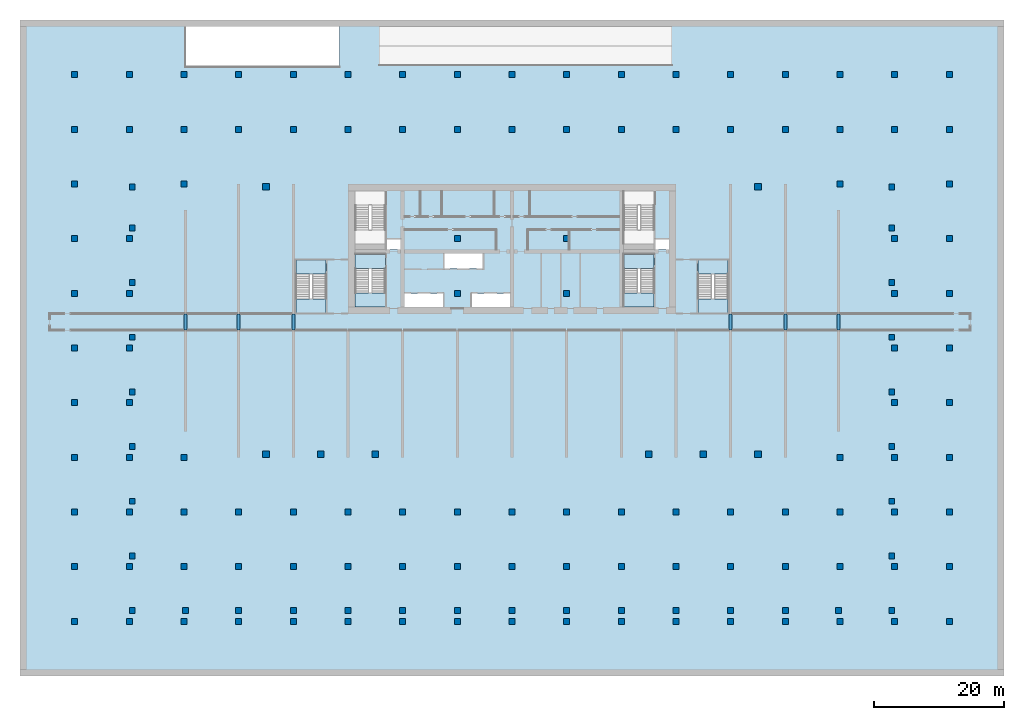
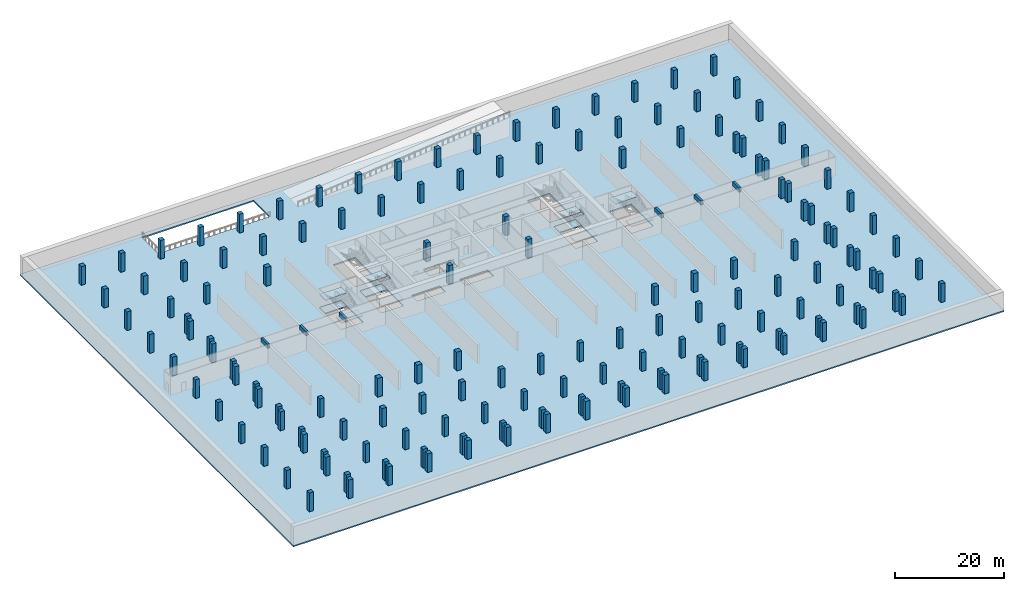
# One storey, part 1 of 13: 154 columns, 12 slabs, 6 beams, 4 elements without a shape of their own.
"""IFC4 building model written with IfcOpenShell, lengths in metres."""

from ifc_helpers import new_model, si_unit, direction, frame, origin, origin_2d, place, context, subcontext, project, spatial, polyline, rectangle, outline, extrude, source, transform, mapped, material, layer, layer_set, material_profile, profile_set, type_object, element, aggregate, save


model = new_model("IFC4")

# Units and contexts
model_context = context("Model", 3, precision=1e-05, world=origin(), true_north=direction((0.0, 1.0)))
body_context = subcontext(model_context, "Body", "Model", "MODEL_VIEW")
ifc_project = project(units=[si_unit("LENGTHUNIT", "METRE"), si_unit("AREAUNIT", "SQUARE_METRE"), si_unit("VOLUMEUNIT", "CUBIC_METRE"), si_unit("PLANEANGLEUNIT", "RADIAN"), si_unit("MASSUNIT", "GRAM", prefix="KILO")], contexts=[model_context])

# Site, building, storey
site_placement = place(None, origin())
site = spatial("IfcSite", under=ifc_project, at=site_placement, CompositionType="ELEMENT")
building_placement = place(site_placement, origin())
building = spatial("IfcBuilding", under=site, at=building_placement, Name="Vanashikhar Sky Hotel", CompositionType="ELEMENT")
storey_placement = place(building_placement, frame((0.0, 0.0, -9.0)))
storey = spatial("IfcBuildingStorey", under=building, at=storey_placement, Name="B2", CompositionType="ELEMENT", Elevation=-9.0)

# Columns
ifc_material_1 = material(Name="Concrete M70", Category="concrete")
ifc_material_profile_1 = material_profile(ifc_material_1, rectangle(XDim=1.0, YDim=1.0, at=origin_2d()))
ifc_profile_set_1 = profile_set([ifc_material_profile_1], Name="RC 1000x1000 column Concrete M70")
column_type_1 = type_object("IfcColumnType", Name="RC 1000x1000 column Concrete M70", PredefinedType="COLUMN", material=ifc_profile_set_1)
shared_shape_1 = source(origin(), body_context, "Body", "SweptSolid", [
    extrude(rectangle(XDim=1.0, YDim=1.0, at=origin_2d()), origin(), (0.0, 0.0, 1.0), 4.219970703125),
])
for number, where, z_axis, x_axis, name in (
    (1, (12.60009765625, 0.449951171875, 0.0), (0.0, 0.0, 1.0), (1.0, 0.0, 0.0), "CL-B2-CF02"),
    (2, (21.0, 0.449951171875, 0.0), (0.0, 0.0, 1.0), (1.0, 0.0, 0.0), "CL-B2-CF03"),
    (3, (29.39990234375, 0.449951171875, 0.0), (0.0, 0.0, 1.0), (1.0, 0.0, 0.0), "CL-B2-CF04"),
    (4, (71.39990234375, 0.449951171875, 0.0), (0.0, 0.0, 1.0), (1.0, 0.0, 0.0), "CL-B2-CF09"),
    (5, (79.800048828125, 0.449951171875, 0.0), (0.0, 0.0, 1.0), (1.0, 0.0, 0.0), "CL-B2-CF10"),
    (6, (88.199951171875, 0.449951171875, 0.0), (0.0, 0.0, 1.0), (1.0, 0.0, 0.0), "CL-B2-CF11"),
    (7, (12.60009765625, 41.550048828125, 0.0), (0.0, 0.0, 1.0), (1.0, 0.0, 0.0), "CL-B2-CR02"),
    (8, (88.199951171875, 41.550048828125, 0.0), (0.0, 0.0, 1.0), (1.0, 0.0, 0.0), "CL-B2-CR11"),
):
    element("IfcColumn", number, at=place(storey_placement, frame(where, z_axis=z_axis, x_axis=x_axis)), inside=storey, type_object=column_type_1, Name=name, PredefinedType="COLUMN", context=body_context, shape_type="MappedRepresentation", body=[
        mapped(shared_shape_1, transform((0.0, 0.0, 0.0), scale=1.0)),
    ])
ifc_material_profile_2 = material_profile(ifc_material_1, rectangle(XDim=0.89990234375, YDim=0.89990234375, at=origin_2d()))
ifc_profile_set_2 = profile_set([ifc_material_profile_2], Name="RC 900x900 column Concrete M70")
column_type_2 = type_object("IfcColumnType", Name="RC 900x900 column Concrete M70", PredefinedType="COLUMN", material=ifc_profile_set_2)
shared_shape_2 = source(origin(), body_context, "Body", "SweptSolid", [
    extrude(rectangle(XDim=0.89990234375, YDim=0.89990234375, at=origin_2d()), origin(), (0.0, 0.0, 1.0), 4.219970703125),
])
for number, where, z_axis, x_axis, name in (
    (9, (-7.949951171875, -23.550048828125, 0.0), (0.0, 0.0, 1.0), (1.0, 0.0, 0.0), "CL-B2-CAW01"),
    (10, (108.75, -23.550048828125, 0.0), (0.0, 0.0, 1.0), (1.0, 0.0, 0.0), "CL-B2-CAE01"),
    (11, (-7.949951171875, -15.14990234375, 0.0), (0.0, 0.0, 1.0), (1.0, 0.0, 0.0), "CL-B2-CAW02"),
    (12, (108.75, -15.14990234375, 0.0), (0.0, 0.0, 1.0), (1.0, 0.0, 0.0), "CL-B2-CAE02"),
    (13, (-7.949951171875, -6.75, 0.0), (0.0, 0.0, 1.0), (1.0, 0.0, 0.0), "CL-B2-CAW03"),
    (14, (108.75, -6.75, 0.0), (0.0, 0.0, 1.0), (1.0, 0.0, 0.0), "CL-B2-CAE03"),
    (15, (-7.949951171875, 1.64990234375, 0.0), (0.0, 0.0, 1.0), (1.0, 0.0, 0.0), "CL-B2-CAW04"),
    (16, (108.75, 1.64990234375, 0.0), (0.0, 0.0, 1.0), (1.0, 0.0, 0.0), "CL-B2-CAE04"),
    (17, (-7.949951171875, 10.050048828125, 0.0), (0.0, 0.0, 1.0), (1.0, 0.0, 0.0), "CL-B2-CAW05"),
    (18, (108.75, 10.050048828125, 0.0), (0.0, 0.0, 1.0), (1.0, 0.0, 0.0), "CL-B2-CAE05"),
    (19, (-7.949951171875, 18.449951171875, 0.0), (0.0, 0.0, 1.0), (1.0, 0.0, 0.0), "CL-B2-CAW06"),
    (20, (108.75, 18.449951171875, 0.0), (0.0, 0.0, 1.0), (1.0, 0.0, 0.0), "CL-B2-CAE06"),
    (21, (-7.949951171875, 26.85009765625, 0.0), (0.0, 0.0, 1.0), (1.0, 0.0, 0.0), "CL-B2-CAW07"),
    (22, (108.75, 26.85009765625, 0.0), (0.0, 0.0, 1.0), (1.0, 0.0, 0.0), "CL-B2-CAE07"),
    (23, (-7.949951171875, 35.25, 0.0), (0.0, 0.0, 1.0), (1.0, 0.0, 0.0), "CL-B2-CAW08"),
    (24, (108.75, 35.25, 0.0), (0.0, 0.0, 1.0), (1.0, 0.0, 0.0), "CL-B2-CAE08"),
    (25, (-7.949951171875, 41.550048828125, 0.0), (0.0, 0.0, 1.0), (1.0, 0.0, 0.0), "CL-B2-CAW09"),
    (26, (108.75, 41.550048828125, 0.0), (0.0, 0.0, 1.0), (1.0, 0.0, 0.0), "CL-B2-CAE09"),
    (27, (0.22509765625, -23.550048828125, 0.0), (0.0, 0.0, 1.0), (1.0, 0.0, 0.0), "CL-B2-CAF01"),
    (28, (8.39990234375, -23.550048828125, 0.0), (0.0, 0.0, 1.0), (1.0, 0.0, 0.0), "CL-B2-CAF02"),
    (29, (16.800048828125, -23.550048828125, 0.0), (0.0, 0.0, 1.0), (1.0, 0.0, 0.0), "CL-B2-CAF03"),
    (30, (25.199951171875, -23.550048828125, 0.0), (0.0, 0.0, 1.0), (1.0, 0.0, 0.0), "CL-B2-CAF04"),
    (31, (33.60009765625, -23.550048828125, 0.0), (0.0, 0.0, 1.0), (1.0, 0.0, 0.0), "CL-B2-CAF05"),
    (32, (42.0, -23.550048828125, 0.0), (0.0, 0.0, 1.0), (1.0, 0.0, 0.0), "CL-B2-CAF06"),
    (33, (50.39990234375, -23.550048828125, 0.0), (0.0, 0.0, 1.0), (1.0, 0.0, 0.0), "CL-B2-CAF07"),
    (34, (58.800048828125, -23.550048828125, 0.0), (0.0, 0.0, 1.0), (1.0, 0.0, 0.0), "CL-B2-CAF08"),
    (35, (67.199951171875, -23.550048828125, 0.0), (0.0, 0.0, 1.0), (1.0, 0.0, 0.0), "CL-B2-CAF09"),
    (36, (75.60009765625, -23.550048828125, 0.0), (0.0, 0.0, 1.0), (1.0, 0.0, 0.0), "CL-B2-CAF10"),
    (37, (84.0, -23.550048828125, 0.0), (0.0, 0.0, 1.0), (1.0, 0.0, 0.0), "CL-B2-CAF11"),
    (38, (92.39990234375, -23.550048828125, 0.0), (0.0, 0.0, 1.0), (1.0, 0.0, 0.0), "CL-B2-CAF12"),
    (39, (100.574951171875, -23.550048828125, 0.0), (0.0, 0.0, 1.0), (1.0, 0.0, 0.0), "CL-B2-CAF13"),
    (40, (-16.800048828125, -25.199951171875, 0.0), (0.0, 0.0, 1.0), (1.0, 0.0, 0.0), "CL-B2-G001"),
    (41, (-16.800048828125, -16.800048828125, 0.0), (0.0, 0.0, 1.0), (1.0, 0.0, 0.0), "CL-B2-G002"),
    (42, (-16.800048828125, -8.39990234375, 0.0), (0.0, 0.0, 1.0), (1.0, 0.0, 0.0), "CL-B2-G003"),
    (43, (-16.800048828125, 0.0, 0.0), (0.0, 0.0, 1.0), (1.0, 0.0, 0.0), "CL-B2-G004"),
    (44, (-16.800048828125, 8.39990234375, 0.0), (0.0, 0.0, 1.0), (1.0, 0.0, 0.0), "CL-B2-G005"),
    (45, (-16.800048828125, 16.800048828125, 0.0), (0.0, 0.0, 1.0), (1.0, 0.0, 0.0), "CL-B2-G006"),
    (46, (-16.800048828125, 25.199951171875, 0.0), (0.0, 0.0, 1.0), (1.0, 0.0, 0.0), "CL-B2-G007"),
    (47, (-16.800048828125, 33.60009765625, 0.0), (0.0, 0.0, 1.0), (1.0, 0.0, 0.0), "CL-B2-G008"),
    (48, (-16.800048828125, 42.0, 0.0), (0.0, 0.0, 1.0), (1.0, 0.0, 0.0), "CL-B2-G009"),
    (49, (-16.800048828125, 50.39990234375, 0.0), (0.0, 0.0, 1.0), (1.0, 0.0, 0.0), "CL-B2-G010"),
    (50, (-16.800048828125, 58.800048828125, 0.0), (0.0, 0.0, 1.0), (1.0, 0.0, 0.0), "CL-B2-G011"),
    (51, (-8.39990234375, -25.199951171875, 0.0), (0.0, 0.0, 1.0), (1.0, 0.0, 0.0), "CL-B2-G012"),
    (52, (-8.39990234375, -16.800048828125, 0.0), (0.0, 0.0, 1.0), (1.0, 0.0, 0.0), "CL-B2-G013"),
    (53, (-8.39990234375, -8.39990234375, 0.0), (0.0, 0.0, 1.0), (1.0, 0.0, 0.0), "CL-B2-G014"),
    (54, (-8.39990234375, 0.0, 0.0), (0.0, 0.0, 1.0), (1.0, 0.0, 0.0), "CL-B2-G015"),
    (55, (-8.39990234375, 8.39990234375, 0.0), (0.0, 0.0, 1.0), (1.0, 0.0, 0.0), "CL-B2-G016"),
    (56, (-8.39990234375, 16.800048828125, 0.0), (0.0, 0.0, 1.0), (1.0, 0.0, 0.0), "CL-B2-G017"),
    (57, (-8.39990234375, 25.199951171875, 0.0), (0.0, 0.0, 1.0), (1.0, 0.0, 0.0), "CL-B2-G018"),
    (58, (-8.39990234375, 33.60009765625, 0.0), (0.0, 0.0, 1.0), (1.0, 0.0, 0.0), "CL-B2-G019"),
    (59, (-8.39990234375, 50.39990234375, 0.0), (0.0, 0.0, 1.0), (1.0, 0.0, 0.0), "CL-B2-G020"),
    (60, (-8.39990234375, 58.800048828125, 0.0), (0.0, 0.0, 1.0), (1.0, 0.0, 0.0), "CL-B2-G021"),
    (61, (0.0, -25.199951171875, 0.0), (0.0, 0.0, 1.0), (1.0, 0.0, 0.0), "CL-B2-G022"),
    (62, (0.0, -16.800048828125, 0.0), (0.0, 0.0, 1.0), (1.0, 0.0, 0.0), "CL-B2-G023"),
    (63, (0.0, -8.39990234375, 0.0), (0.0, 0.0, 1.0), (1.0, 0.0, 0.0), "CL-B2-G024"),
    (64, (0.0, 0.0, 0.0), (0.0, 0.0, 1.0), (1.0, 0.0, 0.0), "CL-B2-G025"),
    (65, (0.0, 42.0, 0.0), (0.0, 0.0, 1.0), (1.0, 0.0, 0.0), "CL-B2-G026"),
    (66, (0.0, 50.39990234375, 0.0), (0.0, 0.0, 1.0), (1.0, 0.0, 0.0), "CL-B2-G027"),
    (67, (0.0, 58.800048828125, 0.0), (0.0, 0.0, 1.0), (1.0, 0.0, 0.0), "CL-B2-G028"),
    (68, (8.39990234375, -25.199951171875, 0.0), (0.0, 0.0, 1.0), (1.0, 0.0, 0.0), "CL-B2-G029"),
    (69, (8.39990234375, -16.800048828125, 0.0), (0.0, 0.0, 1.0), (1.0, 0.0, 0.0), "CL-B2-G030"),
    (70, (8.39990234375, -8.39990234375, 0.0), (0.0, 0.0, 1.0), (1.0, 0.0, 0.0), "CL-B2-G031"),
    (71, (8.39990234375, 50.39990234375, 0.0), (0.0, 0.0, 1.0), (1.0, 0.0, 0.0), "CL-B2-G032"),
    (72, (8.39990234375, 58.800048828125, 0.0), (0.0, 0.0, 1.0), (1.0, 0.0, 0.0), "CL-B2-G033"),
    (73, (16.800048828125, -25.199951171875, 0.0), (0.0, 0.0, 1.0), (1.0, 0.0, 0.0), "CL-B2-G034"),
    (74, (16.800048828125, -16.800048828125, 0.0), (0.0, 0.0, 1.0), (1.0, 0.0, 0.0), "CL-B2-G035"),
    (75, (16.800048828125, -8.39990234375, 0.0), (0.0, 0.0, 1.0), (1.0, 0.0, 0.0), "CL-B2-G036"),
    (76, (16.800048828125, 50.39990234375, 0.0), (0.0, 0.0, 1.0), (1.0, 0.0, 0.0), "CL-B2-G037"),
    (77, (16.800048828125, 58.800048828125, 0.0), (0.0, 0.0, 1.0), (1.0, 0.0, 0.0), "CL-B2-G038"),
    (78, (25.199951171875, -25.199951171875, 0.0), (0.0, 0.0, 1.0), (1.0, 0.0, 0.0), "CL-B2-G039"),
    (79, (25.199951171875, -16.800048828125, 0.0), (0.0, 0.0, 1.0), (1.0, 0.0, 0.0), "CL-B2-G040"),
    (80, (25.199951171875, -8.39990234375, 0.0), (0.0, 0.0, 1.0), (1.0, 0.0, 0.0), "CL-B2-G041"),
    (81, (25.199951171875, 50.39990234375, 0.0), (0.0, 0.0, 1.0), (1.0, 0.0, 0.0), "CL-B2-G042"),
    (82, (25.199951171875, 58.800048828125, 0.0), (0.0, 0.0, 1.0), (1.0, 0.0, 0.0), "CL-B2-G043"),
    (83, (33.60009765625, -25.199951171875, 0.0), (0.0, 0.0, 1.0), (1.0, 0.0, 0.0), "CL-B2-G044"),
    (84, (33.60009765625, -16.800048828125, 0.0), (0.0, 0.0, 1.0), (1.0, 0.0, 0.0), "CL-B2-G045"),
    (85, (33.60009765625, -8.39990234375, 0.0), (0.0, 0.0, 1.0), (1.0, 0.0, 0.0), "CL-B2-G046"),
    (86, (33.60009765625, 50.39990234375, 0.0), (0.0, 0.0, 1.0), (1.0, 0.0, 0.0), "CL-B2-G047"),
    (87, (33.60009765625, 58.800048828125, 0.0), (0.0, 0.0, 1.0), (1.0, 0.0, 0.0), "CL-B2-G048"),
    (88, (42.0, -25.199951171875, 0.0), (0.0, 0.0, 1.0), (1.0, 0.0, 0.0), "CL-B2-G049"),
    (89, (42.0, -16.800048828125, 0.0), (0.0, 0.0, 1.0), (1.0, 0.0, 0.0), "CL-B2-G050"),
    (90, (42.0, -8.39990234375, 0.0), (0.0, 0.0, 1.0), (1.0, 0.0, 0.0), "CL-B2-G051"),
    (91, (42.0, 25.199951171875, 0.0), (0.0, 0.0, 1.0), (1.0, 0.0, 0.0), "CL-B2-G052"),
    (92, (42.0, 33.60009765625, 0.0), (0.0, 0.0, 1.0), (1.0, 0.0, 0.0), "CL-B2-G053"),
    (93, (42.0, 50.39990234375, 0.0), (0.0, 0.0, 1.0), (1.0, 0.0, 0.0), "CL-B2-G054"),
    (94, (42.0, 58.800048828125, 0.0), (0.0, 0.0, 1.0), (1.0, 0.0, 0.0), "CL-B2-G055"),
    (95, (50.39990234375, -25.199951171875, 0.0), (0.0, 0.0, 1.0), (1.0, 0.0, 0.0), "CL-B2-G056"),
    (96, (50.39990234375, -16.800048828125, 0.0), (0.0, 0.0, 1.0), (1.0, 0.0, 0.0), "CL-B2-G057"),
    (97, (50.39990234375, -8.39990234375, 0.0), (0.0, 0.0, 1.0), (1.0, 0.0, 0.0), "CL-B2-G058"),
    (98, (50.39990234375, 50.39990234375, 0.0), (0.0, 0.0, 1.0), (1.0, 0.0, 0.0), "CL-B2-G059"),
    (99, (50.39990234375, 58.800048828125, 0.0), (0.0, 0.0, 1.0), (1.0, 0.0, 0.0), "CL-B2-G060"),
    (100, (58.800048828125, -25.199951171875, 0.0), (0.0, 0.0, 1.0), (1.0, 0.0, 0.0), "CL-B2-G061"),
    (101, (58.800048828125, -16.800048828125, 0.0), (0.0, 0.0, 1.0), (1.0, 0.0, 0.0), "CL-B2-G062"),
    (102, (58.800048828125, -8.39990234375, 0.0), (0.0, 0.0, 1.0), (1.0, 0.0, 0.0), "CL-B2-G063"),
    (103, (58.800048828125, 25.199951171875, 0.0), (0.0, 0.0, 1.0), (1.0, 0.0, 0.0), "CL-B2-G064"),
    (104, (58.800048828125, 33.60009765625, 0.0), (0.0, 0.0, 1.0), (1.0, 0.0, 0.0), "CL-B2-G065"),
    (105, (58.800048828125, 50.39990234375, 0.0), (0.0, 0.0, 1.0), (1.0, 0.0, 0.0), "CL-B2-G066"),
    (106, (58.800048828125, 58.800048828125, 0.0), (0.0, 0.0, 1.0), (1.0, 0.0, 0.0), "CL-B2-G067"),
    (107, (67.199951171875, -25.199951171875, 0.0), (0.0, 0.0, 1.0), (1.0, 0.0, 0.0), "CL-B2-G068"),
    (108, (67.199951171875, -16.800048828125, 0.0), (0.0, 0.0, 1.0), (1.0, 0.0, 0.0), "CL-B2-G069"),
    (109, (67.199951171875, -8.39990234375, 0.0), (0.0, 0.0, 1.0), (1.0, 0.0, 0.0), "CL-B2-G070"),
    (110, (67.199951171875, 50.39990234375, 0.0), (0.0, 0.0, 1.0), (1.0, 0.0, 0.0), "CL-B2-G071"),
    (111, (67.199951171875, 58.800048828125, 0.0), (0.0, 0.0, 1.0), (1.0, 0.0, 0.0), "CL-B2-G072"),
    (112, (75.60009765625, -25.199951171875, 0.0), (0.0, 0.0, 1.0), (1.0, 0.0, 0.0), "CL-B2-G073"),
    (113, (75.60009765625, -16.800048828125, 0.0), (0.0, 0.0, 1.0), (1.0, 0.0, 0.0), "CL-B2-G074"),
    (114, (75.60009765625, -8.39990234375, 0.0), (0.0, 0.0, 1.0), (1.0, 0.0, 0.0), "CL-B2-G075"),
    (115, (75.60009765625, 50.39990234375, 0.0), (0.0, 0.0, 1.0), (1.0, 0.0, 0.0), "CL-B2-G076"),
    (116, (75.60009765625, 58.800048828125, 0.0), (0.0, 0.0, 1.0), (1.0, 0.0, 0.0), "CL-B2-G077"),
    (117, (84.0, -25.199951171875, 0.0), (0.0, 0.0, 1.0), (1.0, 0.0, 0.0), "CL-B2-G078"),
    (118, (84.0, -16.800048828125, 0.0), (0.0, 0.0, 1.0), (1.0, 0.0, 0.0), "CL-B2-G079"),
    (119, (84.0, -8.39990234375, 0.0), (0.0, 0.0, 1.0), (1.0, 0.0, 0.0), "CL-B2-G080"),
    (120, (84.0, 50.39990234375, 0.0), (0.0, 0.0, 1.0), (1.0, 0.0, 0.0), "CL-B2-G081"),
    (121, (84.0, 58.800048828125, 0.0), (0.0, 0.0, 1.0), (1.0, 0.0, 0.0), "CL-B2-G082"),
    (122, (92.39990234375, -25.199951171875, 0.0), (0.0, 0.0, 1.0), (1.0, 0.0, 0.0), "CL-B2-G083"),
    (123, (92.39990234375, -16.800048828125, 0.0), (0.0, 0.0, 1.0), (1.0, 0.0, 0.0), "CL-B2-G084"),
    (124, (92.39990234375, -8.39990234375, 0.0), (0.0, 0.0, 1.0), (1.0, 0.0, 0.0), "CL-B2-G085"),
    (125, (92.39990234375, 50.39990234375, 0.0), (0.0, 0.0, 1.0), (1.0, 0.0, 0.0), "CL-B2-G086"),
    (126, (92.39990234375, 58.800048828125, 0.0), (0.0, 0.0, 1.0), (1.0, 0.0, 0.0), "CL-B2-G087"),
    (127, (100.800048828125, -25.199951171875, 0.0), (0.0, 0.0, 1.0), (1.0, 0.0, 0.0), "CL-B2-G088"),
    (128, (100.800048828125, -16.800048828125, 0.0), (0.0, 0.0, 1.0), (1.0, 0.0, 0.0), "CL-B2-G089"),
    (129, (100.800048828125, -8.39990234375, 0.0), (0.0, 0.0, 1.0), (1.0, 0.0, 0.0), "CL-B2-G090"),
    (130, (100.800048828125, 0.0, 0.0), (0.0, 0.0, 1.0), (1.0, 0.0, 0.0), "CL-B2-G091"),
    (131, (100.800048828125, 42.0, 0.0), (0.0, 0.0, 1.0), (1.0, 0.0, 0.0), "CL-B2-G092"),
    (132, (100.800048828125, 50.39990234375, 0.0), (0.0, 0.0, 1.0), (1.0, 0.0, 0.0), "CL-B2-G093"),
    (133, (100.800048828125, 58.800048828125, 0.0), (0.0, 0.0, 1.0), (1.0, 0.0, 0.0), "CL-B2-G094"),
    (134, (109.199951171875, -25.199951171875, 0.0), (0.0, 0.0, 1.0), (1.0, 0.0, 0.0), "CL-B2-G095"),
    (135, (109.199951171875, -16.800048828125, 0.0), (0.0, 0.0, 1.0), (1.0, 0.0, 0.0), "CL-B2-G096"),
    (136, (109.199951171875, -8.39990234375, 0.0), (0.0, 0.0, 1.0), (1.0, 0.0, 0.0), "CL-B2-G097"),
    (137, (109.199951171875, 0.0, 0.0), (0.0, 0.0, 1.0), (1.0, 0.0, 0.0), "CL-B2-G098"),
    (138, (109.199951171875, 8.39990234375, 0.0), (0.0, 0.0, 1.0), (1.0, 0.0, 0.0), "CL-B2-G099"),
    (139, (109.199951171875, 16.800048828125, 0.0), (0.0, 0.0, 1.0), (1.0, 0.0, 0.0), "CL-B2-G100"),
    (140, (109.199951171875, 25.199951171875, 0.0), (0.0, 0.0, 1.0), (1.0, 0.0, 0.0), "CL-B2-G101"),
    (141, (109.199951171875, 33.60009765625, 0.0), (0.0, 0.0, 1.0), (1.0, 0.0, 0.0), "CL-B2-G102"),
    (142, (109.199951171875, 50.39990234375, 0.0), (0.0, 0.0, 1.0), (1.0, 0.0, 0.0), "CL-B2-G103"),
    (143, (109.199951171875, 58.800048828125, 0.0), (0.0, 0.0, 1.0), (1.0, 0.0, 0.0), "CL-B2-G104"),
    (144, (117.60009765625, -25.199951171875, 0.0), (0.0, 0.0, 1.0), (1.0, 0.0, 0.0), "CL-B2-G105"),
    (145, (117.60009765625, -16.800048828125, 0.0), (0.0, 0.0, 1.0), (1.0, 0.0, 0.0), "CL-B2-G106"),
    (146, (117.60009765625, -8.39990234375, 0.0), (0.0, 0.0, 1.0), (1.0, 0.0, 0.0), "CL-B2-G107"),
    (147, (117.60009765625, 0.0, 0.0), (0.0, 0.0, 1.0), (1.0, 0.0, 0.0), "CL-B2-G108"),
    (148, (117.60009765625, 8.39990234375, 0.0), (0.0, 0.0, 1.0), (1.0, 0.0, 0.0), "CL-B2-G109"),
    (149, (117.60009765625, 16.800048828125, 0.0), (0.0, 0.0, 1.0), (1.0, 0.0, 0.0), "CL-B2-G110"),
    (150, (117.60009765625, 25.199951171875, 0.0), (0.0, 0.0, 1.0), (1.0, 0.0, 0.0), "CL-B2-G111"),
    (151, (117.60009765625, 33.60009765625, 0.0), (0.0, 0.0, 1.0), (1.0, 0.0, 0.0), "CL-B2-G112"),
    (152, (117.60009765625, 42.0, 0.0), (0.0, 0.0, 1.0), (1.0, 0.0, 0.0), "CL-B2-G113"),
    (153, (117.60009765625, 50.39990234375, 0.0), (0.0, 0.0, 1.0), (1.0, 0.0, 0.0), "CL-B2-G114"),
    (154, (117.60009765625, 58.800048828125, 0.0), (0.0, 0.0, 1.0), (1.0, 0.0, 0.0), "CL-B2-G115"),
):
    element("IfcColumn", number, at=place(storey_placement, frame(where, z_axis=z_axis, x_axis=x_axis)), inside=storey, type_object=column_type_2, Name=name, PredefinedType="COLUMN", context=body_context, shape_type="MappedRepresentation", body=[
        mapped(shared_shape_2, transform((0.0, 0.0, 0.0), scale=1.0)),
    ])

# Beams
ifc_material_2 = material(Name="Concrete M50", Category="concrete")
ifc_material_profile_3 = material_profile(ifc_material_2, rectangle(XDim=0.449951171875, YDim=0.89990234375, at=origin_2d()))
ifc_profile_set_3 = profile_set([ifc_material_profile_3], Name="RC 450x900 beam Concrete M50")
beam_type = type_object("IfcBeamType", Name="RC 450x900 beam Concrete M50", PredefinedType="LINTEL", material=ifc_profile_set_3)
shared_shape_3 = source(origin(), body_context, "Body", "SweptSolid", [
    extrude(rectangle(XDim=0.449951171875, YDim=0.89990234375, at=origin_2d()), origin(), (0.0, 0.0, 1.0), 2.39990234375),
])
for number, where, z_axis, x_axis, name in (
    (155, (0.22509765625, 19.60009765625, 3.77001953125), (0.0, 1.0, 0.0), (-1.0, 0.0, 0.0), "LB-B2-XW01"),
    (156, (8.39990234375, 19.60009765625, 3.77001953125), (0.0, 1.0, 0.0), (-1.0, 0.0, 0.0), "LB-B2-XW02"),
    (157, (16.800048828125, 19.60009765625, 3.77001953125), (0.0, 1.0, 0.0), (-1.0, 0.0, 0.0), "LB-B2-XW03"),
    (158, (84.0, 19.60009765625, 3.77001953125), (0.0, 1.0, 0.0), (-1.0, 0.0, 0.0), "LB-B2-XW11"),
    (159, (92.39990234375, 19.60009765625, 3.77001953125), (0.0, 1.0, 0.0), (-1.0, 0.0, 0.0), "LB-B2-XW12"),
    (160, (100.574951171875, 19.60009765625, 3.77001953125), (0.0, 1.0, 0.0), (-1.0, 0.0, 0.0), "LB-B2-XW13"),
):
    element("IfcBeam", number, at=place(storey_placement, frame(where, z_axis=z_axis, x_axis=x_axis)), inside=storey, type_object=beam_type, Name=name, PredefinedType="LINTEL", context=body_context, shape_type="MappedRepresentation", body=[
        mapped(shared_shape_3, transform((0.0, 0.0, 0.0), scale=1.0)),
    ])

# Slab
ifc_material_3 = material(Name="Concrete M40", Category="concrete")
ifc_layer_1 = layer(ifc_material_3, 0.280029296875)
ifc_layer_set_1 = layer_set([ifc_layer_1], Name="Floor slab 280 mm")
slab_type_1 = type_object("IfcSlabType", Name="Floor slab 280 mm", PredefinedType="FLOOR", material=ifc_layer_set_1)
shared_shape_4 = source(origin(), body_context, "Body", "SweptSolid", [
    extrude(outline(polyline([(-25.199951171875, -33.60009765625), (126.0, -33.60009765625), (126.0, 67.199951171875), (-25.199951171875, 67.199951171875), (-25.199951171875, -33.60009765625)]), holes=[polyline([(31.050048828125, 33.60009765625), (31.050048828125, 31.89990234375), (33.300048828125, 31.89990234375), (33.300048828125, 33.60009765625), (31.050048828125, 33.60009765625)]), polyline([(33.89990234375, 25.199951171875), (33.89990234375, 23.10009765625), (39.89990234375, 23.10009765625), (39.89990234375, 25.199951171875), (33.89990234375, 25.199951171875)]), polyline([(39.89990234375, 31.300048828125), (39.89990234375, 29.0), (45.89990234375, 29.0), (45.89990234375, 31.300048828125), (39.89990234375, 31.300048828125)]), polyline([(44.10009765625, 25.199951171875), (44.10009765625, 23.10009765625), (50.10009765625, 23.10009765625), (50.10009765625, 25.199951171875), (44.10009765625, 25.199951171875)]), polyline([(72.35009765625, 33.60009765625), (72.35009765625, 31.89990234375), (74.5, 31.89990234375), (74.5, 33.60009765625), (72.35009765625, 33.60009765625)]), polyline([(30.949951171875, 23.10009765625), (30.949951171875, 31.199951171875), (26.300048828125, 31.199951171875), (26.300048828125, 23.10009765625), (30.949951171875, 23.10009765625)]), polyline([(72.25, 23.10009765625), (72.25, 31.199951171875), (67.60009765625, 31.199951171875), (67.60009765625, 23.10009765625), (72.25, 23.10009765625)]), polyline([(30.949951171875, 32.800048828125), (30.949951171875, 40.89990234375), (26.300048828125, 40.89990234375), (26.300048828125, 32.800048828125), (30.949951171875, 32.800048828125)]), polyline([(72.25, 32.800048828125), (72.25, 40.89990234375), (67.60009765625, 40.89990234375), (67.60009765625, 32.800048828125), (72.25, 32.800048828125)]), polyline([(83.60009765625, 22.199951171875), (83.60009765625, 30.300048828125), (78.949951171875, 30.300048828125), (78.949951171875, 22.199951171875), (83.60009765625, 22.199951171875)]), polyline([(21.85009765625, 22.199951171875), (21.85009765625, 30.300048828125), (17.199951171875, 30.300048828125), (17.199951171875, 22.199951171875), (21.85009765625, 22.199951171875)]), polyline([(0.199951171875, 60.199951171875), (23.89990234375, 60.199951171875), (23.89990234375, 66.199951171875), (0.199951171875, 66.199951171875), (0.199951171875, 60.199951171875)])]), origin(), (0.0, 0.0, 1.0), 0.280029296875),
])
slab_1_placement = place(storey_placement, frame((0.0, 0.0, -0.280029296875)))
element("IfcSlab", 161, at=slab_1_placement, inside=storey, type_object=slab_type_1, Name="Floor slab B2", PredefinedType="FLOOR", context=body_context, shape_type="MappedRepresentation", body=[
    mapped(shared_shape_4, transform((0.0, 0.0, 0.0), scale=1.0)),
])

# Stair, slabs
stair_type = type_object("IfcStairType", Name="Exit stair 2150", PredefinedType="DOUBLE_RETURN_STAIR", material=ifc_material_3)
stair_1_placement = place(storey_placement, origin())
stair_1 = element("IfcStair", 162, at=stair_1_placement, inside=storey, type_object=stair_type, Name="B2 Exit stair 1", PredefinedType="DOUBLE_RETURN_STAIR")
ifc_layer_2 = layer(ifc_material_3, 0.199951171875)
ifc_layer_set_2 = layer_set([ifc_layer_2], Name="Stair landing 200")
slab_type_2 = type_object("IfcSlabType", Name="Stair landing 200", PredefinedType="LANDING", material=ifc_layer_set_2)
shared_shape_5 = source(origin(), body_context, "Body", "SweptSolid", [
    extrude(outline(polyline([(30.949951171875, 29.050048828125), (30.949951171875, 31.199951171875), (26.300048828125, 31.199951171875), (26.300048828125, 29.050048828125), (30.949951171875, 29.050048828125)])), origin(), (0.0, 0.0, 1.0), 0.199951171875),
])
slab_2_placement = place(storey_placement, frame((0.0, 0.0, 2.800048828125)))
slab_2 = element("IfcSlab", 163, at=slab_2_placement, type_object=slab_type_2, Name="ST-C1 landing 2", PredefinedType="LANDING", context=body_context, shape_type="MappedRepresentation", body=[
    mapped(shared_shape_5, transform((0.0, 0.0, 0.0), scale=1.0)),
])
shared_shape_6 = source(origin(), body_context, "Body", "SweptSolid", [
    extrude(outline(polyline([(30.949951171875, 23.10009765625), (30.949951171875, 25.25), (26.300048828125, 25.25), (26.300048828125, 23.10009765625), (30.949951171875, 23.10009765625)])), origin(), (0.0, 0.0, 1.0), 0.199951171875),
])
slab_3_placement = place(storey_placement, frame((0.0, 0.0, 1.300048828125)))
slab_3 = element("IfcSlab", 164, at=slab_3_placement, type_object=slab_type_2, Name="ST-C1 landing 1", PredefinedType="LANDING", context=body_context, shape_type="MappedRepresentation", body=[
    mapped(shared_shape_6, transform((0.0, 0.0, 0.0), scale=1.0)),
])
aggregate(stair_1, [slab_3, slab_2])

# Slab
ifc_layer_3 = layer(ifc_material_3, 0.280029296875)
ifc_layer_set_3 = layer_set([ifc_layer_3], Name="Stair floor landing 280")
slab_type_3 = type_object("IfcSlabType", Name="Stair floor landing 280", PredefinedType="LANDING", material=ifc_layer_set_3)
shared_shape_7 = source(origin(), body_context, "Body", "SweptSolid", [
    extrude(outline(polyline([(30.949951171875, 29.050048828125), (30.949951171875, 31.199951171875), (26.300048828125, 31.199951171875), (26.300048828125, 29.050048828125), (30.949951171875, 29.050048828125)])), origin(), (0.0, 0.0, 1.0), 0.280029296875),
])
slab_4_placement = place(storey_placement, frame((0.0, 0.0, -0.280029296875)))
element("IfcSlab", 165, at=slab_4_placement, inside=storey, type_object=slab_type_3, Name="Exit stair 1 floor landing", PredefinedType="LANDING", context=body_context, shape_type="MappedRepresentation", body=[
    mapped(shared_shape_7, transform((0.0, 0.0, 0.0), scale=1.0)),
])

# Stair, slabs
stair_2_placement = place(storey_placement, origin())
stair_2 = element("IfcStair", 166, at=stair_2_placement, inside=storey, type_object=stair_type, Name="B2 Exit stair 2", PredefinedType="DOUBLE_RETURN_STAIR")
shared_shape_8 = source(origin(), body_context, "Body", "SweptSolid", [
    extrude(outline(polyline([(72.25, 29.050048828125), (72.25, 31.199951171875), (67.60009765625, 31.199951171875), (67.60009765625, 29.050048828125), (72.25, 29.050048828125)])), origin(), (0.0, 0.0, 1.0), 0.199951171875),
])
slab_5_placement = place(storey_placement, frame((0.0, 0.0, 2.800048828125)))
slab_5 = element("IfcSlab", 167, at=slab_5_placement, type_object=slab_type_2, Name="ST-C2 landing 2", PredefinedType="LANDING", context=body_context, shape_type="MappedRepresentation", body=[
    mapped(shared_shape_8, transform((0.0, 0.0, 0.0), scale=1.0)),
])
shared_shape_9 = source(origin(), body_context, "Body", "SweptSolid", [
    extrude(outline(polyline([(72.25, 23.10009765625), (72.25, 25.25), (67.60009765625, 25.25), (67.60009765625, 23.10009765625), (72.25, 23.10009765625)])), origin(), (0.0, 0.0, 1.0), 0.199951171875),
])
slab_6_placement = place(storey_placement, frame((0.0, 0.0, 1.300048828125)))
slab_6 = element("IfcSlab", 168, at=slab_6_placement, type_object=slab_type_2, Name="ST-C2 landing 1", PredefinedType="LANDING", context=body_context, shape_type="MappedRepresentation", body=[
    mapped(shared_shape_9, transform((0.0, 0.0, 0.0), scale=1.0)),
])
aggregate(stair_2, [slab_6, slab_5])

# Slab
shared_shape_10 = source(origin(), body_context, "Body", "SweptSolid", [
    extrude(outline(polyline([(72.25, 29.050048828125), (72.25, 31.199951171875), (67.60009765625, 31.199951171875), (67.60009765625, 29.050048828125), (72.25, 29.050048828125)])), origin(), (0.0, 0.0, 1.0), 0.280029296875),
])
slab_7_placement = place(storey_placement, frame((0.0, 0.0, -0.280029296875)))
element("IfcSlab", 169, at=slab_7_placement, inside=storey, type_object=slab_type_3, Name="Exit stair 2 floor landing", PredefinedType="LANDING", context=body_context, shape_type="MappedRepresentation", body=[
    mapped(shared_shape_10, transform((0.0, 0.0, 0.0), scale=1.0)),
])

# Stair, slabs
stair_3_placement = place(storey_placement, origin())
stair_3 = element("IfcStair", 170, at=stair_3_placement, inside=storey, type_object=stair_type, Name="B2 Exit stair 3", PredefinedType="DOUBLE_RETURN_STAIR")
shared_shape_11 = source(origin(), body_context, "Body", "SweptSolid", [
    extrude(outline(polyline([(21.85009765625, 28.14990234375), (21.85009765625, 30.300048828125), (17.199951171875, 30.300048828125), (17.199951171875, 28.14990234375), (21.85009765625, 28.14990234375)])), origin(), (0.0, 0.0, 1.0), 0.199951171875),
])
slab_8_placement = place(storey_placement, frame((0.0, 0.0, 2.800048828125)))
slab_8 = element("IfcSlab", 171, at=slab_8_placement, type_object=slab_type_2, Name="ST-W landing 2", PredefinedType="LANDING", context=body_context, shape_type="MappedRepresentation", body=[
    mapped(shared_shape_11, transform((0.0, 0.0, 0.0), scale=1.0)),
])
shared_shape_12 = source(origin(), body_context, "Body", "SweptSolid", [
    extrude(outline(polyline([(21.85009765625, 22.199951171875), (21.85009765625, 24.35009765625), (17.199951171875, 24.35009765625), (17.199951171875, 22.199951171875), (21.85009765625, 22.199951171875)])), origin(), (0.0, 0.0, 1.0), 0.199951171875),
])
slab_9_placement = place(storey_placement, frame((0.0, 0.0, 1.300048828125)))
slab_9 = element("IfcSlab", 172, at=slab_9_placement, type_object=slab_type_2, Name="ST-W landing 1", PredefinedType="LANDING", context=body_context, shape_type="MappedRepresentation", body=[
    mapped(shared_shape_12, transform((0.0, 0.0, 0.0), scale=1.0)),
])
aggregate(stair_3, [slab_9, slab_8])

# Slab
shared_shape_13 = source(origin(), body_context, "Body", "SweptSolid", [
    extrude(outline(polyline([(21.85009765625, 28.14990234375), (21.85009765625, 30.300048828125), (17.199951171875, 30.300048828125), (17.199951171875, 28.14990234375), (21.85009765625, 28.14990234375)])), origin(), (0.0, 0.0, 1.0), 0.280029296875),
])
slab_10_placement = place(storey_placement, frame((0.0, 0.0, -0.280029296875)))
element("IfcSlab", 173, at=slab_10_placement, inside=storey, type_object=slab_type_3, Name="Exit stair 3 floor landing", PredefinedType="LANDING", context=body_context, shape_type="MappedRepresentation", body=[
    mapped(shared_shape_13, transform((0.0, 0.0, 0.0), scale=1.0)),
])

# Stair, slabs
stair_4_placement = place(storey_placement, origin())
stair_4 = element("IfcStair", 174, at=stair_4_placement, inside=storey, type_object=stair_type, Name="B2 Exit stair 4", PredefinedType="DOUBLE_RETURN_STAIR")
shared_shape_14 = source(origin(), body_context, "Body", "SweptSolid", [
    extrude(outline(polyline([(83.60009765625, 28.14990234375), (83.60009765625, 30.300048828125), (78.949951171875, 30.300048828125), (78.949951171875, 28.14990234375), (83.60009765625, 28.14990234375)])), origin(), (0.0, 0.0, 1.0), 0.199951171875),
])
slab_11_placement = place(storey_placement, frame((0.0, 0.0, 2.800048828125)))
slab_11 = element("IfcSlab", 175, at=slab_11_placement, type_object=slab_type_2, Name="ST-E landing 2", PredefinedType="LANDING", context=body_context, shape_type="MappedRepresentation", body=[
    mapped(shared_shape_14, transform((0.0, 0.0, 0.0), scale=1.0)),
])
shared_shape_15 = source(origin(), body_context, "Body", "SweptSolid", [
    extrude(outline(polyline([(83.60009765625, 22.199951171875), (83.60009765625, 24.35009765625), (78.949951171875, 24.35009765625), (78.949951171875, 22.199951171875), (83.60009765625, 22.199951171875)])), origin(), (0.0, 0.0, 1.0), 0.199951171875),
])
slab_12_placement = place(storey_placement, frame((0.0, 0.0, 1.300048828125)))
slab_12 = element("IfcSlab", 176, at=slab_12_placement, type_object=slab_type_2, Name="ST-E landing 1", PredefinedType="LANDING", context=body_context, shape_type="MappedRepresentation", body=[
    mapped(shared_shape_15, transform((0.0, 0.0, 0.0), scale=1.0)),
])
aggregate(stair_4, [slab_12, slab_11])

save(model, "model.ifc")
